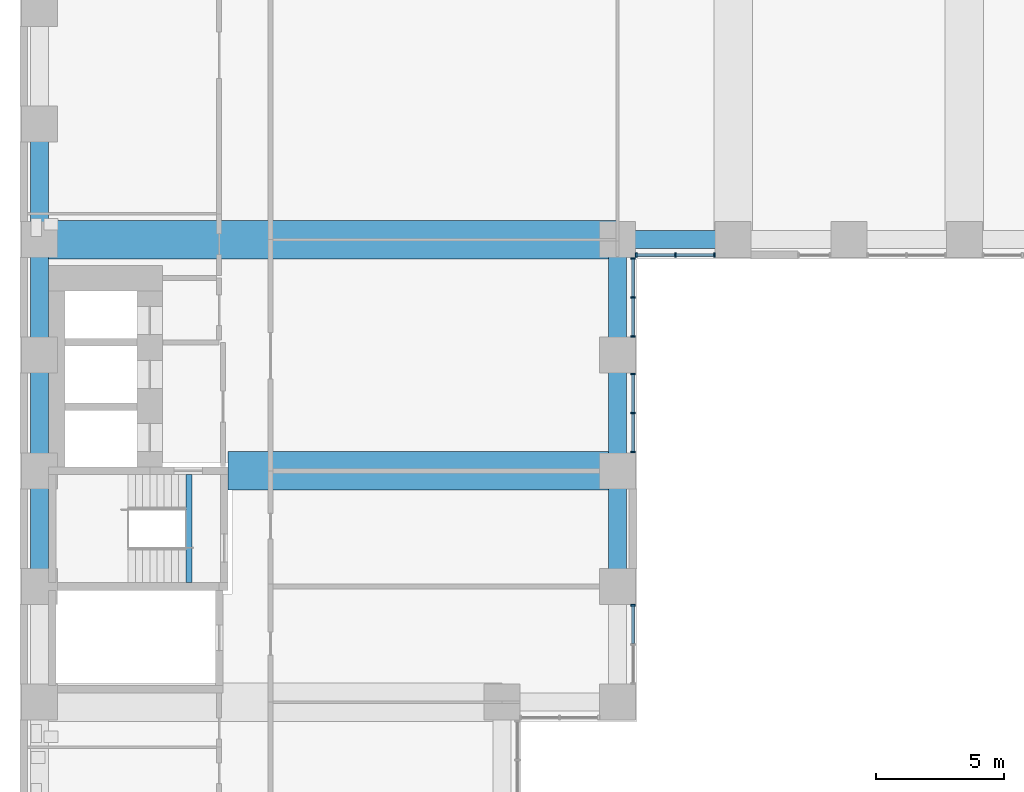
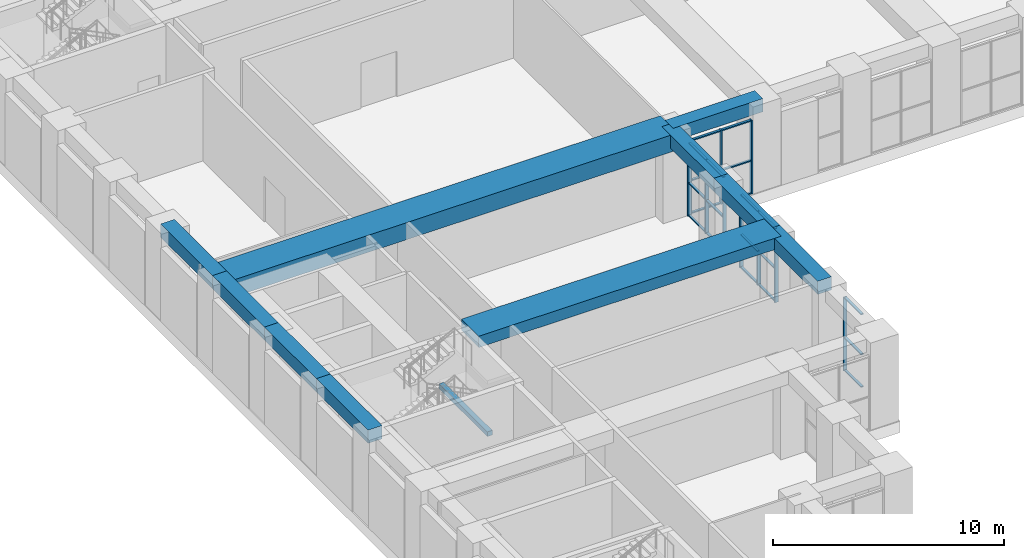
# One storey, part 3 of 30: 31 members, 11 beams, 4 elements without a shape of their own.
"""IFC4 building model written with IfcOpenShell, lengths in metres."""

from ifc_helpers import new_model, si_unit, direction, frame, origin, origin_2d, place, context, subcontext, project, spatial, rectangle, extrude, material, material_profile, profile_set, type_object, element, aggregate, save


model = new_model("IFC4")

# Units and contexts
model_context = context("Model", 3, precision=1e-05, world=origin(), true_north=direction((0.0, 1.0)))
body_context = subcontext(model_context, "Body", "Model", "MODEL_VIEW")
ifc_project = project(units=[si_unit("LENGTHUNIT", "METRE"), si_unit("AREAUNIT", "SQUARE_METRE"), si_unit("VOLUMEUNIT", "CUBIC_METRE"), si_unit("PLANEANGLEUNIT", "RADIAN"), si_unit("MASSUNIT", "GRAM", prefix="KILO")], contexts=[model_context])

# Site, building, storey
site_placement = place(None, origin())
site = spatial("IfcSite", under=ifc_project, at=site_placement, CompositionType="ELEMENT")
building_placement = place(site_placement, origin())
building = spatial("IfcBuilding", under=site, at=building_placement, Name="Firuza Court", CompositionType="ELEMENT")
storey_placement = place(building_placement, frame((0.0, 0.0, 9.0)))
storey = spatial("IfcBuildingStorey", under=building, at=storey_placement, Name="L01", CompositionType="ELEMENT", Elevation=9.0)

# Beams
ifc_material_1 = material(Name="Concrete C40/50", Category="concrete")
ifc_material_profile_1 = material_profile(ifc_material_1, rectangle(XDim=1.5, YDim=0.60009765625, at=origin_2d()), Name="RC 1500x600")
ifc_profile_set_1 = profile_set([ifc_material_profile_1], Name="Concrete C40/50")
beam_type_1 = type_object("IfcBeamType", Name="Band beam RC 1500x600 C40/50", PredefinedType="BEAM", material=ifc_profile_set_1)
beam_1_placement = place(storey_placement, frame((22.5, 27.0, 4.300048828125), z_axis=(-1.0, 0.0, 0.0), x_axis=(0.0, -1.0, 0.0)))
element("IfcBeam", 1, at=beam_1_placement, inside=storey, type_object=beam_type_1, Name="Band beam FB3 level L02", PredefinedType="BEAM", context=body_context, shape_type="SweptSolid", body=[
    extrude(rectangle(XDim=1.5, YDim=0.60009765625, at=origin_2d()), origin(), (0.0, 0.0, 1.0), 15.14990234375),
])
ifc_material_2 = material(Name="Concrete C40/50", Category="concrete")
ifc_material_profile_2 = material_profile(ifc_material_2, rectangle(XDim=1.5, YDim=0.89990234375, at=origin_2d()), Name="RC 1500x900")
ifc_profile_set_2 = profile_set([ifc_material_profile_2], Name="Concrete C40/50")
beam_type_2 = type_object("IfcBeamType", Name="Band beam RC 1500x900 C40/50", PredefinedType="BEAM", material=ifc_profile_set_2)
beam_2_placement = place(storey_placement, frame((0.0, 36.0, 4.14990234375), z_axis=(1.0, 0.0, 0.0), x_axis=(0.0, 1.0, 0.0)))
element("IfcBeam", 2, at=beam_2_placement, inside=storey, type_object=beam_type_2, Name="Band beam FB2 level L02", PredefinedType="BEAM", context=body_context, shape_type="SweptSolid", body=[
    extrude(rectangle(XDim=1.5, YDim=0.89990234375, at=origin_2d()), origin(), (0.0, 0.0, 1.0), 22.5),
])
ifc_material_3 = material(Name="Concrete C40/50", Category="concrete")
ifc_material_profile_3 = material_profile(ifc_material_3, rectangle(XDim=0.25, YDim=0.25, at=origin_2d()), Name="RC 250x250")
ifc_profile_set_3 = profile_set([ifc_material_profile_3], Name="Concrete C40/50")
beam_type_3 = type_object("IfcBeamType", Name="Landing beam RC 250x250 C40/50", PredefinedType="BEAM", material=ifc_profile_set_3)
beam_3_placement = place(storey_placement, frame((5.824951171875, 22.64990234375, 2.175048828125), z_axis=(0.0, 1.0, 0.0), x_axis=(-1.0, 0.0, 0.0)))
element("IfcBeam", 3, at=beam_3_placement, inside=storey, type_object=beam_type_3, Name="Landing beam S2 L01", PredefinedType="BEAM", context=body_context, shape_type="SweptSolid", body=[
    extrude(rectangle(XDim=0.25, YDim=0.25, at=origin_2d()), origin(), (0.0, 0.0, 1.0), 4.2001953125),
])

# Curtain wall, member
ifc_material_4 = material(Name="Aluminium curtain wall, triple clear glazing", Category="aluminium")
curtain_wall_type = type_object("IfcCurtainWallType", Name="Podium unitised curtain wall CW1", PredefinedType="NOTDEFINED", material=ifc_material_4)
curtain_wall_1_placement = place(storey_placement, origin())
curtain_wall_1 = element("IfcCurtainWall", 4, at=curtain_wall_1_placement, inside=storey, type_object=curtain_wall_type, Name="Podium unitised curtain wall CW1 L01", PredefinedType="NOTDEFINED")
ifc_material_5 = material(Name="Aluminium EN AW-6060 T66", Category="aluminium")
ifc_material_profile_4 = material_profile(ifc_material_5, rectangle(XDim=0.179931640625, YDim=0.06005859375, at=origin_2d()), Name="Mullion 180 x 60 CW1")
ifc_profile_set_4 = profile_set([ifc_material_profile_4], Name="Aluminium EN AW-6060 T66")
member_type_1 = type_object("IfcMemberType", Name="Mullion 180 x 60 CW1", PredefinedType="MULLION", material=ifc_profile_set_4)
member_1_placement = place(storey_placement, frame((23.10009765625, 21.77001953125, 0.0), z_axis=(0.0, 0.0, 1.0), x_axis=(-1.0, 0.0, 0.0)))
member_1 = element("IfcMember", 5, at=member_1_placement, type_object=member_type_1, Name="CW1 mullion 3", PredefinedType="MULLION", context=body_context, shape_type="SweptSolid", body=[
    extrude(rectangle(XDim=0.179931640625, YDim=0.06005859375, at=origin_2d()), origin(), (0.0, 0.0, 1.0), 3.89990234375),
])

# Curtain wall, members
curtain_wall_2_placement = place(storey_placement, origin())
curtain_wall_2 = element("IfcCurtainWall", 6, at=curtain_wall_2_placement, inside=storey, type_object=curtain_wall_type, Name="Podium unitised curtain wall CW1 L01", PredefinedType="NOTDEFINED")
member_2_placement = place(storey_placement, frame((23.10009765625, 27.72998046875, 0.0), z_axis=(0.0, 0.0, 1.0), x_axis=(-1.0, 0.0, 0.0)))
member_2 = element("IfcMember", 7, at=member_2_placement, type_object=member_type_1, Name="CW1 mullion 1", PredefinedType="MULLION", context=body_context, shape_type="SweptSolid", body=[
    extrude(rectangle(XDim=0.179931640625, YDim=0.06005859375, at=origin_2d()), origin(), (0.0, 0.0, 1.0), 3.89990234375),
])
member_3_placement = place(storey_placement, frame((23.10009765625, 29.25, 0.0), z_axis=(0.0, 0.0, 1.0), x_axis=(-1.0, 0.0, 0.0)))
member_3 = element("IfcMember", 8, at=member_3_placement, type_object=member_type_1, Name="CW1 mullion 2", PredefinedType="MULLION", context=body_context, shape_type="SweptSolid", body=[
    extrude(rectangle(XDim=0.179931640625, YDim=0.06005859375, at=origin_2d()), origin(), (0.0, 0.0, 1.0), 3.89990234375),
])
member_4_placement = place(storey_placement, frame((23.10009765625, 30.77001953125, 0.0), z_axis=(0.0, 0.0, 1.0), x_axis=(-1.0, 0.0, 0.0)))
member_4 = element("IfcMember", 9, at=member_4_placement, type_object=member_type_1, Name="CW1 mullion 3", PredefinedType="MULLION", context=body_context, shape_type="SweptSolid", body=[
    extrude(rectangle(XDim=0.179931640625, YDim=0.06005859375, at=origin_2d()), origin(), (0.0, 0.0, 1.0), 3.89990234375),
])

curtain_wall_3_placement = place(storey_placement, origin())
curtain_wall_3 = element("IfcCurtainWall", 10, at=curtain_wall_3_placement, inside=storey, type_object=curtain_wall_type, Name="Podium unitised curtain wall CW1 L01", PredefinedType="NOTDEFINED")
member_5_placement = place(storey_placement, frame((23.10009765625, 32.22998046875, 0.0), z_axis=(0.0, 0.0, 1.0), x_axis=(-1.0, 0.0, 0.0)))
member_5 = element("IfcMember", 11, at=member_5_placement, type_object=member_type_1, Name="CW1 mullion 1", PredefinedType="MULLION", context=body_context, shape_type="SweptSolid", body=[
    extrude(rectangle(XDim=0.179931640625, YDim=0.06005859375, at=origin_2d()), origin(), (0.0, 0.0, 1.0), 3.89990234375),
])
member_6_placement = place(storey_placement, frame((23.10009765625, 33.75, 0.0), z_axis=(0.0, 0.0, 1.0), x_axis=(-1.0, 0.0, 0.0)))
member_6 = element("IfcMember", 12, at=member_6_placement, type_object=member_type_1, Name="CW1 mullion 2", PredefinedType="MULLION", context=body_context, shape_type="SweptSolid", body=[
    extrude(rectangle(XDim=0.179931640625, YDim=0.06005859375, at=origin_2d()), origin(), (0.0, 0.0, 1.0), 3.89990234375),
])
member_7_placement = place(storey_placement, frame((23.10009765625, 35.27001953125, 0.0), z_axis=(0.0, 0.0, 1.0), x_axis=(-1.0, 0.0, 0.0)))
member_7 = element("IfcMember", 13, at=member_7_placement, type_object=member_type_1, Name="CW1 mullion 3", PredefinedType="MULLION", context=body_context, shape_type="SweptSolid", body=[
    extrude(rectangle(XDim=0.179931640625, YDim=0.06005859375, at=origin_2d()), origin(), (0.0, 0.0, 1.0), 3.89990234375),
])

curtain_wall_4_placement = place(storey_placement, origin())
curtain_wall_4 = element("IfcCurtainWall", 14, at=curtain_wall_4_placement, inside=storey, type_object=curtain_wall_type, Name="Podium unitised curtain wall CW1 L01", PredefinedType="NOTDEFINED")
member_8_placement = place(storey_placement, frame((23.22998046875, 35.39990234375, 0.0), z_axis=(0.0, 0.0, 1.0), x_axis=(0.0, 1.0, 0.0)))
member_8 = element("IfcMember", 15, at=member_8_placement, type_object=member_type_1, Name="CW1 mullion 1", PredefinedType="MULLION", context=body_context, shape_type="SweptSolid", body=[
    extrude(rectangle(XDim=0.179931640625, YDim=0.06005859375, at=origin_2d()), origin(), (0.0, 0.0, 1.0), 3.89990234375),
])
member_9_placement = place(storey_placement, frame((24.75, 35.39990234375, 0.0), z_axis=(0.0, 0.0, 1.0), x_axis=(0.0, 1.0, 0.0)))
member_9 = element("IfcMember", 16, at=member_9_placement, type_object=member_type_1, Name="CW1 mullion 2", PredefinedType="MULLION", context=body_context, shape_type="SweptSolid", body=[
    extrude(rectangle(XDim=0.179931640625, YDim=0.06005859375, at=origin_2d()), origin(), (0.0, 0.0, 1.0), 3.89990234375),
])
member_10_placement = place(storey_placement, frame((26.27001953125, 35.39990234375, 0.0), z_axis=(0.0, 0.0, 1.0), x_axis=(0.0, 1.0, 0.0)))
member_10 = element("IfcMember", 17, at=member_10_placement, type_object=member_type_1, Name="CW1 mullion 3", PredefinedType="MULLION", context=body_context, shape_type="SweptSolid", body=[
    extrude(rectangle(XDim=0.179931640625, YDim=0.06005859375, at=origin_2d()), origin(), (0.0, 0.0, 1.0), 3.89990234375),
])

# Beams
ifc_material_6 = material(Name="Concrete C40/50", Category="concrete")
ifc_material_profile_5 = material_profile(ifc_material_6, rectangle(XDim=0.699951171875, YDim=0.699951171875, at=origin_2d()), Name="RC 700x700")
ifc_profile_set_5 = profile_set([ifc_material_profile_5], Name="Concrete C40/50")
beam_type_4 = type_object("IfcBeamType", Name="Spandrel beam RC 700x700 C40/50", PredefinedType="BEAM", material=ifc_profile_set_5)
for number, where, z_axis, x_axis, name in (
    (18, (0.0, 27.0, 4.25), (0.0, -1.0, 0.0), (1.0, 0.0, 0.0), "Spandrel beam SP8 level L02"),
    (19, (0.0, 31.5, 4.25), (0.0, -1.0, 0.0), (1.0, 0.0, 0.0), "Spandrel beam SP8 level L02"),
    (20, (0.0, 36.0, 4.25), (0.0, -1.0, 0.0), (1.0, 0.0, 0.0), "Spandrel beam SP8 level L02"),
    (21, (0.0, 40.5, 4.25), (0.0, -1.0, 0.0), (1.0, 0.0, 0.0), "Spandrel beam SP8 level L02"),
    (22, (22.5, 22.5, 4.25), (0.0, 1.0, 0.0), (-1.0, 0.0, 0.0), "Spandrel beam SP8 level L02"),
    (23, (22.5, 27.0, 4.25), (0.0, 1.0, 0.0), (-1.0, 0.0, 0.0), "Spandrel beam SP8 level L02"),
    (24, (22.5, 31.5, 4.25), (0.0, 1.0, 0.0), (-1.0, 0.0, 0.0), "Spandrel beam SP8 level L02"),
    (25, (22.5, 36.0, 4.25), (1.0, 0.0, 0.0), (0.0, 1.0, 0.0), "Spandrel beam SP8 level L02"),
):
    element("IfcBeam", number, at=place(storey_placement, frame(where, z_axis=z_axis, x_axis=x_axis)), inside=storey, type_object=beam_type_4, Name=name, PredefinedType="BEAM", context=body_context, shape_type="SweptSolid", body=[
        extrude(rectangle(XDim=0.699951171875, YDim=0.699951171875, at=origin_2d()), origin(), (0.0, 0.0, 1.0), 4.5),
    ])

# Member
ifc_material_7 = material(Name="Aluminium EN AW-6060 T66", Category="aluminium")
ifc_material_profile_6 = material_profile(ifc_material_7, rectangle(XDim=0.1201171875, YDim=0.06005859375, at=origin_2d()), Name="Transom 120 x 60 CW1")
ifc_profile_set_6 = profile_set([ifc_material_profile_6], Name="Aluminium EN AW-6060 T66")
member_type_2 = type_object("IfcMemberType", Name="Transom 120 x 60 CW1", PredefinedType="USERDEFINED", material=ifc_profile_set_6)
member_11_placement = place(storey_placement, frame((23.10009765625, 20.280029296875, 0.030029296875), z_axis=(0.0, 1.0, 0.0), x_axis=(-1.0, 0.0, 0.0)))
member_11 = element("IfcMember", 26, at=member_11_placement, type_object=member_type_2, Name="CW1 transom 2.1", ObjectType="TRANSOM", PredefinedType="USERDEFINED", context=body_context, shape_type="SweptSolid", body=[
    extrude(rectangle(XDim=0.1201171875, YDim=0.06005859375, at=origin_2d()), origin(), (0.0, 0.0, 1.0), 1.4599609375),
])

member_12_placement = place(storey_placement, frame((23.10009765625, 20.280029296875, 1.7548828125), z_axis=(0.0, 1.0, 0.0), x_axis=(-1.0, 0.0, 0.0)))
member_12 = element("IfcMember", 27, at=member_12_placement, type_object=member_type_2, Name="CW1 transom 2.2", ObjectType="TRANSOM", PredefinedType="USERDEFINED", context=body_context, shape_type="SweptSolid", body=[
    extrude(rectangle(XDim=0.1201171875, YDim=0.06005859375, at=origin_2d()), origin(), (0.0, 0.0, 1.0), 1.4599609375),
])

member_13_placement = place(storey_placement, frame((23.10009765625, 20.280029296875, 3.8701171875), z_axis=(0.0, 1.0, 0.0), x_axis=(-1.0, 0.0, 0.0)))
member_13 = element("IfcMember", 28, at=member_13_placement, type_object=member_type_2, Name="CW1 transom 2.3", ObjectType="TRANSOM", PredefinedType="USERDEFINED", context=body_context, shape_type="SweptSolid", body=[
    extrude(rectangle(XDim=0.1201171875, YDim=0.06005859375, at=origin_2d()), origin(), (0.0, 0.0, 1.0), 1.4599609375),
])

aggregate(curtain_wall_1, [member_1, member_11, member_12, member_13])

member_14_placement = place(storey_placement, frame((23.10009765625, 27.760009765625, 0.030029296875), z_axis=(0.0, 1.0, 0.0), x_axis=(-1.0, 0.0, 0.0)))
member_14 = element("IfcMember", 29, at=member_14_placement, type_object=member_type_2, Name="CW1 transom 1.1", ObjectType="TRANSOM", PredefinedType="USERDEFINED", context=body_context, shape_type="SweptSolid", body=[
    extrude(rectangle(XDim=0.1201171875, YDim=0.06005859375, at=origin_2d()), origin(), (0.0, 0.0, 1.0), 1.4599609375),
])

member_15_placement = place(storey_placement, frame((23.10009765625, 27.760009765625, 1.7548828125), z_axis=(0.0, 1.0, 0.0), x_axis=(-1.0, 0.0, 0.0)))
member_15 = element("IfcMember", 30, at=member_15_placement, type_object=member_type_2, Name="CW1 transom 1.2", ObjectType="TRANSOM", PredefinedType="USERDEFINED", context=body_context, shape_type="SweptSolid", body=[
    extrude(rectangle(XDim=0.1201171875, YDim=0.06005859375, at=origin_2d()), origin(), (0.0, 0.0, 1.0), 1.4599609375),
])

member_16_placement = place(storey_placement, frame((23.10009765625, 27.760009765625, 3.8701171875), z_axis=(0.0, 1.0, 0.0), x_axis=(-1.0, 0.0, 0.0)))
member_16 = element("IfcMember", 31, at=member_16_placement, type_object=member_type_2, Name="CW1 transom 1.3", ObjectType="TRANSOM", PredefinedType="USERDEFINED", context=body_context, shape_type="SweptSolid", body=[
    extrude(rectangle(XDim=0.1201171875, YDim=0.06005859375, at=origin_2d()), origin(), (0.0, 0.0, 1.0), 1.4599609375),
])

member_17_placement = place(storey_placement, frame((23.10009765625, 29.280029296875, 0.030029296875), z_axis=(0.0, 1.0, 0.0), x_axis=(-1.0, 0.0, 0.0)))
member_17 = element("IfcMember", 32, at=member_17_placement, type_object=member_type_2, Name="CW1 transom 2.1", ObjectType="TRANSOM", PredefinedType="USERDEFINED", context=body_context, shape_type="SweptSolid", body=[
    extrude(rectangle(XDim=0.1201171875, YDim=0.06005859375, at=origin_2d()), origin(), (0.0, 0.0, 1.0), 1.4599609375),
])

member_18_placement = place(storey_placement, frame((23.10009765625, 29.280029296875, 1.7548828125), z_axis=(0.0, 1.0, 0.0), x_axis=(-1.0, 0.0, 0.0)))
member_18 = element("IfcMember", 33, at=member_18_placement, type_object=member_type_2, Name="CW1 transom 2.2", ObjectType="TRANSOM", PredefinedType="USERDEFINED", context=body_context, shape_type="SweptSolid", body=[
    extrude(rectangle(XDim=0.1201171875, YDim=0.06005859375, at=origin_2d()), origin(), (0.0, 0.0, 1.0), 1.4599609375),
])

member_19_placement = place(storey_placement, frame((23.10009765625, 29.280029296875, 3.8701171875), z_axis=(0.0, 1.0, 0.0), x_axis=(-1.0, 0.0, 0.0)))
member_19 = element("IfcMember", 34, at=member_19_placement, type_object=member_type_2, Name="CW1 transom 2.3", ObjectType="TRANSOM", PredefinedType="USERDEFINED", context=body_context, shape_type="SweptSolid", body=[
    extrude(rectangle(XDim=0.1201171875, YDim=0.06005859375, at=origin_2d()), origin(), (0.0, 0.0, 1.0), 1.4599609375),
])

aggregate(curtain_wall_2, [member_2, member_3, member_4, member_14, member_15, member_16, member_17, member_18, member_19])

member_20_placement = place(storey_placement, frame((23.10009765625, 32.260009765625, 0.030029296875), z_axis=(0.0, 1.0, 0.0), x_axis=(-1.0, 0.0, 0.0)))
member_20 = element("IfcMember", 35, at=member_20_placement, type_object=member_type_2, Name="CW1 transom 1.1", ObjectType="TRANSOM", PredefinedType="USERDEFINED", context=body_context, shape_type="SweptSolid", body=[
    extrude(rectangle(XDim=0.1201171875, YDim=0.06005859375, at=origin_2d()), origin(), (0.0, 0.0, 1.0), 1.4599609375),
])

member_21_placement = place(storey_placement, frame((23.10009765625, 32.260009765625, 1.7548828125), z_axis=(0.0, 1.0, 0.0), x_axis=(-1.0, 0.0, 0.0)))
member_21 = element("IfcMember", 36, at=member_21_placement, type_object=member_type_2, Name="CW1 transom 1.2", ObjectType="TRANSOM", PredefinedType="USERDEFINED", context=body_context, shape_type="SweptSolid", body=[
    extrude(rectangle(XDim=0.1201171875, YDim=0.06005859375, at=origin_2d()), origin(), (0.0, 0.0, 1.0), 1.4599609375),
])

member_22_placement = place(storey_placement, frame((23.10009765625, 32.260009765625, 3.8701171875), z_axis=(0.0, 1.0, 0.0), x_axis=(-1.0, 0.0, 0.0)))
member_22 = element("IfcMember", 37, at=member_22_placement, type_object=member_type_2, Name="CW1 transom 1.3", ObjectType="TRANSOM", PredefinedType="USERDEFINED", context=body_context, shape_type="SweptSolid", body=[
    extrude(rectangle(XDim=0.1201171875, YDim=0.06005859375, at=origin_2d()), origin(), (0.0, 0.0, 1.0), 1.4599609375),
])

member_23_placement = place(storey_placement, frame((23.10009765625, 33.780029296875, 0.030029296875), z_axis=(0.0, 1.0, 0.0), x_axis=(-1.0, 0.0, 0.0)))
member_23 = element("IfcMember", 38, at=member_23_placement, type_object=member_type_2, Name="CW1 transom 2.1", ObjectType="TRANSOM", PredefinedType="USERDEFINED", context=body_context, shape_type="SweptSolid", body=[
    extrude(rectangle(XDim=0.1201171875, YDim=0.06005859375, at=origin_2d()), origin(), (0.0, 0.0, 1.0), 1.4599609375),
])

member_24_placement = place(storey_placement, frame((23.10009765625, 33.780029296875, 1.7548828125), z_axis=(0.0, 1.0, 0.0), x_axis=(-1.0, 0.0, 0.0)))
member_24 = element("IfcMember", 39, at=member_24_placement, type_object=member_type_2, Name="CW1 transom 2.2", ObjectType="TRANSOM", PredefinedType="USERDEFINED", context=body_context, shape_type="SweptSolid", body=[
    extrude(rectangle(XDim=0.1201171875, YDim=0.06005859375, at=origin_2d()), origin(), (0.0, 0.0, 1.0), 1.4599609375),
])

member_25_placement = place(storey_placement, frame((23.10009765625, 33.780029296875, 3.8701171875), z_axis=(0.0, 1.0, 0.0), x_axis=(-1.0, 0.0, 0.0)))
member_25 = element("IfcMember", 40, at=member_25_placement, type_object=member_type_2, Name="CW1 transom 2.3", ObjectType="TRANSOM", PredefinedType="USERDEFINED", context=body_context, shape_type="SweptSolid", body=[
    extrude(rectangle(XDim=0.1201171875, YDim=0.06005859375, at=origin_2d()), origin(), (0.0, 0.0, 1.0), 1.4599609375),
])

aggregate(curtain_wall_3, [member_5, member_6, member_7, member_20, member_21, member_22, member_23, member_24, member_25])

member_26_placement = place(storey_placement, frame((23.260009765625, 35.39990234375, 0.030029296875), z_axis=(1.0, 0.0, 0.0), x_axis=(0.0, 1.0, 0.0)))
member_26 = element("IfcMember", 41, at=member_26_placement, type_object=member_type_2, Name="CW1 transom 1.1", ObjectType="TRANSOM", PredefinedType="USERDEFINED", context=body_context, shape_type="SweptSolid", body=[
    extrude(rectangle(XDim=0.1201171875, YDim=0.06005859375, at=origin_2d()), origin(), (0.0, 0.0, 1.0), 1.4599609375),
])

member_27_placement = place(storey_placement, frame((23.260009765625, 35.39990234375, 1.7548828125), z_axis=(1.0, 0.0, 0.0), x_axis=(0.0, 1.0, 0.0)))
member_27 = element("IfcMember", 42, at=member_27_placement, type_object=member_type_2, Name="CW1 transom 1.2", ObjectType="TRANSOM", PredefinedType="USERDEFINED", context=body_context, shape_type="SweptSolid", body=[
    extrude(rectangle(XDim=0.1201171875, YDim=0.06005859375, at=origin_2d()), origin(), (0.0, 0.0, 1.0), 1.4599609375),
])

member_28_placement = place(storey_placement, frame((23.260009765625, 35.39990234375, 3.8701171875), z_axis=(1.0, 0.0, 0.0), x_axis=(0.0, 1.0, 0.0)))
member_28 = element("IfcMember", 43, at=member_28_placement, type_object=member_type_2, Name="CW1 transom 1.3", ObjectType="TRANSOM", PredefinedType="USERDEFINED", context=body_context, shape_type="SweptSolid", body=[
    extrude(rectangle(XDim=0.1201171875, YDim=0.06005859375, at=origin_2d()), origin(), (0.0, 0.0, 1.0), 1.4599609375),
])

member_29_placement = place(storey_placement, frame((24.780029296875, 35.39990234375, 0.030029296875), z_axis=(1.0, 0.0, 0.0), x_axis=(0.0, 1.0, 0.0)))
member_29 = element("IfcMember", 44, at=member_29_placement, type_object=member_type_2, Name="CW1 transom 2.1", ObjectType="TRANSOM", PredefinedType="USERDEFINED", context=body_context, shape_type="SweptSolid", body=[
    extrude(rectangle(XDim=0.1201171875, YDim=0.06005859375, at=origin_2d()), origin(), (0.0, 0.0, 1.0), 1.4599609375),
])

member_30_placement = place(storey_placement, frame((24.780029296875, 35.39990234375, 1.7548828125), z_axis=(1.0, 0.0, 0.0), x_axis=(0.0, 1.0, 0.0)))
member_30 = element("IfcMember", 45, at=member_30_placement, type_object=member_type_2, Name="CW1 transom 2.2", ObjectType="TRANSOM", PredefinedType="USERDEFINED", context=body_context, shape_type="SweptSolid", body=[
    extrude(rectangle(XDim=0.1201171875, YDim=0.06005859375, at=origin_2d()), origin(), (0.0, 0.0, 1.0), 1.4599609375),
])

member_31_placement = place(storey_placement, frame((24.780029296875, 35.39990234375, 3.8701171875), z_axis=(1.0, 0.0, 0.0), x_axis=(0.0, 1.0, 0.0)))
member_31 = element("IfcMember", 46, at=member_31_placement, type_object=member_type_2, Name="CW1 transom 2.3", ObjectType="TRANSOM", PredefinedType="USERDEFINED", context=body_context, shape_type="SweptSolid", body=[
    extrude(rectangle(XDim=0.1201171875, YDim=0.06005859375, at=origin_2d()), origin(), (0.0, 0.0, 1.0), 1.4599609375),
])

aggregate(curtain_wall_4, [member_8, member_9, member_10, member_26, member_27, member_28, member_29, member_30, member_31])

save(model, "model.ifc")
